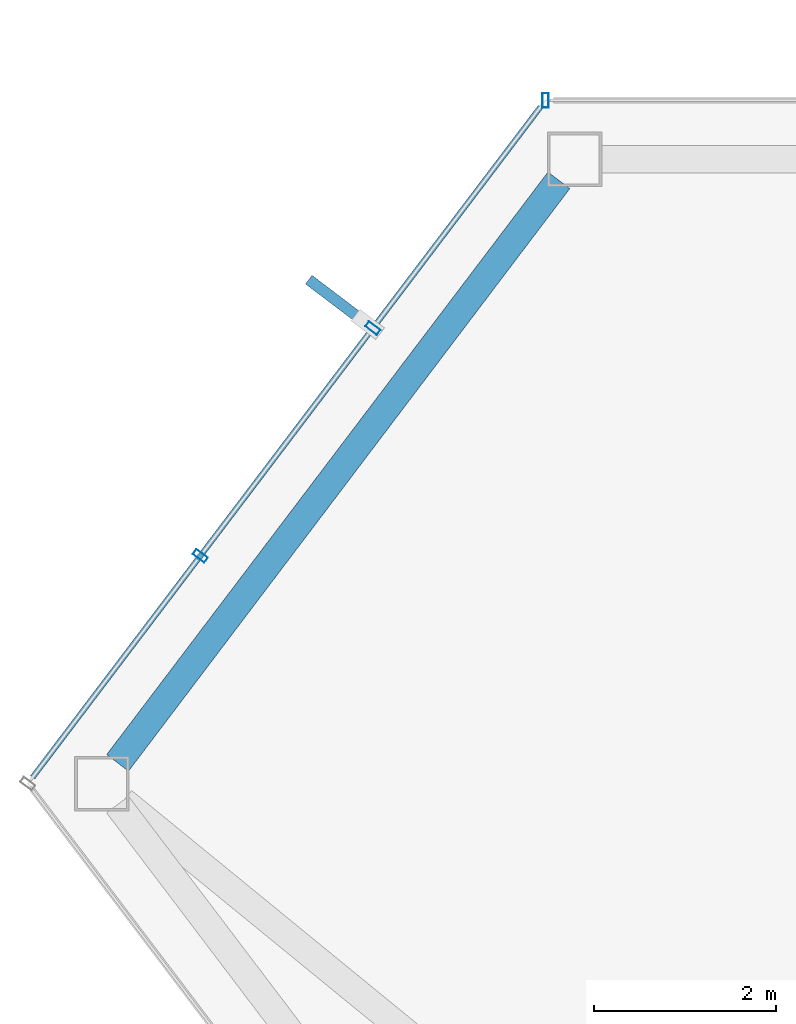
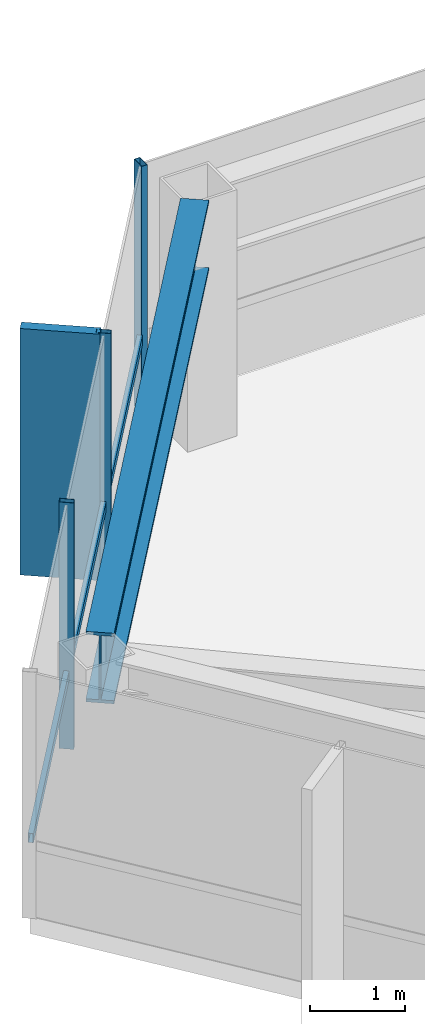
# One storey, part 12 of 28: 5 members, 1 beam, 2 elements without a shape of their own.
"""IFC4 building model written with IfcOpenShell, lengths in metres."""

from ifc_helpers import new_model, si_unit, direction, frame, origin, origin_2d, place, context, subcontext, project, spatial, rectangle, hollow_rectangle, i_section, extrude, material, layer, layer_set, material_profile, profile_set, type_object, element, aggregate, save


model = new_model("IFC4")

# Units and contexts
model_context = context("Model", 3, precision=1e-05, world=origin(), true_north=direction((0.0, 1.0)))
body_context = subcontext(model_context, "Body", "Model", "MODEL_VIEW")
ifc_project = project(units=[si_unit("LENGTHUNIT", "METRE"), si_unit("AREAUNIT", "SQUARE_METRE"), si_unit("VOLUMEUNIT", "CUBIC_METRE"), si_unit("PLANEANGLEUNIT", "RADIAN"), si_unit("MASSUNIT", "GRAM", prefix="KILO")], contexts=[model_context])

# Site, building, storey
site_placement = place(None, origin())
site = spatial("IfcSite", under=ifc_project, at=site_placement, CompositionType="ELEMENT")
building_placement = place(site_placement, origin())
building = spatial("IfcBuilding", under=site, at=building_placement, Name="Zarrinselat Tower", CompositionType="ELEMENT")
storey_placement = place(building_placement, frame((0.0, 0.0, 222.360107421875)))
storey = spatial("IfcBuildingStorey", under=building, at=storey_placement, Name="L55", CompositionType="ELEMENT", Elevation=222.360107421875)

# Beam
ifc_material_1 = material(Name="Steel S460M", Category="steel")
ifc_material_profile_1 = material_profile(ifc_material_1, i_section(OverallWidth=0.302001953125, OverallDepth=0.909912109375, WebThickness=0.02099609375, FlangeThickness=0.0400390625, at=origin_2d()), Name="HEM 900")
ifc_profile_set_1 = profile_set([ifc_material_profile_1], Name="Steel S460M")
beam_type = type_object("IfcBeamType", Name="BM-HEM900", PredefinedType="BEAM", material=ifc_profile_set_1)
beam_placement = place(storey_placement, frame((16.115966796875, 41.001708984375, 2.724853515625), z_axis=(0.603876967091, 0.797077542412, 0.0), x_axis=(-0.797077542412, 0.603876967091, 0.0)))
element("IfcBeam", 1, at=beam_placement, inside=storey, type_object=beam_type, Name="L55 Perimeter Spandrel Girder SP05", PredefinedType="BEAM", context=body_context, shape_type="SweptSolid", body=[
    extrude(i_section(OverallWidth=0.302001953125, OverallDepth=0.909912109375, WebThickness=0.02099609375, FlangeThickness=0.0400390625, at=origin_2d()), origin(), (0.0, 0.0, 1.0), 8.045654296875),
])

# Curtain wall, member
ifc_material_2 = material(Name="Extruded Aluminium Alloy EN AW-6063 T6", Category="aluminium")
ifc_layer = layer(ifc_material_2, 0.169921875)
ifc_layer_set = layer_set([ifc_layer], Name="Extruded Aluminium Alloy EN AW-6063 T6")
curtain_wall_type = type_object("IfcCurtainWallType", Name="CWS-RES", PredefinedType="NOTDEFINED", material=ifc_layer_set)
curtain_wall_1_placement = place(storey_placement, origin())
curtain_wall_1 = element("IfcCurtainWall", 2, at=curtain_wall_1_placement, inside=storey, type_object=curtain_wall_type, Name="L55 Unitised Curtain Wall CW-L55-E01", PredefinedType="NOTDEFINED")
ifc_material_3 = material(Name="Extruded Aluminium Alloy EN AW-6063 T6", Category="aluminium")
ifc_material_profile_2 = material_profile(ifc_material_3, hollow_rectangle(XDim=0.070068359375, YDim=0.159912109375, WallThickness=0.00390625, at=origin_2d()), Name="RHS 160x70x4")
ifc_profile_set_2 = profile_set([ifc_material_profile_2], Name="Extruded Aluminium Alloy EN AW-6063 T6")
member_type_1 = type_object("IfcMemberType", Name="MEM-CW-MUL2", PredefinedType="MULLION", material=ifc_profile_set_2)
member_1_placement = place(storey_placement, frame((20.825439453125, 48.29443359375, 0.0), z_axis=(0.0, 0.0, 1.0), x_axis=(-1.0, 0.0, 0.0)))
member_1 = element("IfcMember", 3, at=member_1_placement, type_object=member_type_1, Name="CW-L55-E01 Mullion 11", PredefinedType="MULLION", context=body_context, shape_type="SweptSolid", body=[
    extrude(hollow_rectangle(XDim=0.070068359375, YDim=0.159912109375, WallThickness=0.00390625, at=origin_2d()), origin(), (0.0, 0.0, 1.0), 3.179931640625),
])
aggregate(curtain_wall_1, [member_1])

# Curtain wall, members
curtain_wall_2_placement = place(storey_placement, origin())
curtain_wall_2 = element("IfcCurtainWall", 4, at=curtain_wall_2_placement, inside=storey, type_object=curtain_wall_type, Name="L55 Unitised Curtain Wall CW-L55-E02", PredefinedType="NOTDEFINED")
member_2_placement = place(storey_placement, frame((18.92578125, 45.786865234375, 0.0), z_axis=(0.0, 0.0, 1.0), x_axis=(-0.603865236347, -0.79708642965, 0.0)))
member_2 = element("IfcMember", 5, at=member_2_placement, type_object=member_type_1, Name="CW-L55-E02 Mullion 1", PredefinedType="MULLION", context=body_context, shape_type="SweptSolid", body=[
    extrude(hollow_rectangle(XDim=0.070068359375, YDim=0.159912109375, WallThickness=0.00390625, at=origin_2d()), origin(), (0.0, 0.0, 1.0), 3.179931640625),
])
member_3_placement = place(storey_placement, frame((17.026123046875, 43.279541015625, 0.0), z_axis=(0.0, 0.0, 1.0), x_axis=(-0.603865236347, -0.79708642965, 0.0)))
member_3 = element("IfcMember", 6, at=member_3_placement, type_object=member_type_1, Name="CW-L55-E02 Mullion 2", PredefinedType="MULLION", context=body_context, shape_type="SweptSolid", body=[
    extrude(hollow_rectangle(XDim=0.070068359375, YDim=0.159912109375, WallThickness=0.00390625, at=origin_2d()), origin(), (0.0, 0.0, 1.0), 3.179931640625),
])
ifc_material_4 = material(Name="Extruded Aluminium Alloy EN AW-6063 T6", Category="aluminium")
ifc_material_profile_3 = material_profile(ifc_material_4, hollow_rectangle(XDim=0.06005859375, YDim=0.1201171875, WallThickness=0.00390625, at=origin_2d()), Name="RHS 120x60x4")
ifc_profile_set_3 = profile_set([ifc_material_profile_3], Name="Extruded Aluminium Alloy EN AW-6063 T6")
member_type_2 = type_object("IfcMemberType", Name="MEM-CW-TRN2", PredefinedType="USERDEFINED", material=ifc_profile_set_3)
member_4_placement = place(storey_placement, frame((20.771240234375, 48.22265625, 0.949951171875), z_axis=(-0.603874951459, -0.797079069478, 0.0), x_axis=(0.797079069478, -0.603874951459, 0.0)))
member_4 = element("IfcMember", 7, at=member_4_placement, type_object=member_type_2, Name="CW-L55-E02 Transom 1", ObjectType="TRANSOM", PredefinedType="USERDEFINED", context=body_context, shape_type="SweptSolid", body=[
    extrude(hollow_rectangle(XDim=0.06005859375, YDim=0.1201171875, WallThickness=0.00390625, at=origin_2d()), origin(), (0.0, 0.0, 1.0), 9.25732421875),
])
ifc_material_5 = material(Name="Honed Cream Travertine Stone", Category="masonry")
ifc_material_profile_4 = material_profile(ifc_material_5, rectangle(XDim=0.1201171875, YDim=0.85009765625, at=origin_2d()), Name="FIN 850x120")
ifc_profile_set_4 = profile_set([ifc_material_profile_4], Name="Honed Cream Travertine Stone")
member_type_3 = type_object("IfcMemberType", Name="MEM-STONE-FIN", PredefinedType="USERDEFINED", material=ifc_profile_set_4)
member_5_placement = place(storey_placement, frame((18.55908203125, 46.064697265625, 0.0), z_axis=(0.0, 0.0, 1.0), x_axis=(0.603865236347, 0.79708642965, 0.0)))
member_5 = element("IfcMember", 8, at=member_5_placement, type_object=member_type_3, Name="L55 Stone Shading Fin CW-L55-E02-01", ObjectType="FIN", PredefinedType="USERDEFINED", context=body_context, shape_type="SweptSolid", body=[
    extrude(rectangle(XDim=0.1201171875, YDim=0.85009765625, at=origin_2d()), origin(), (0.0, 0.0, 1.0), 3.179931640625),
])
aggregate(curtain_wall_2, [member_2, member_5, member_3, member_4])

save(model, "model.ifc")
